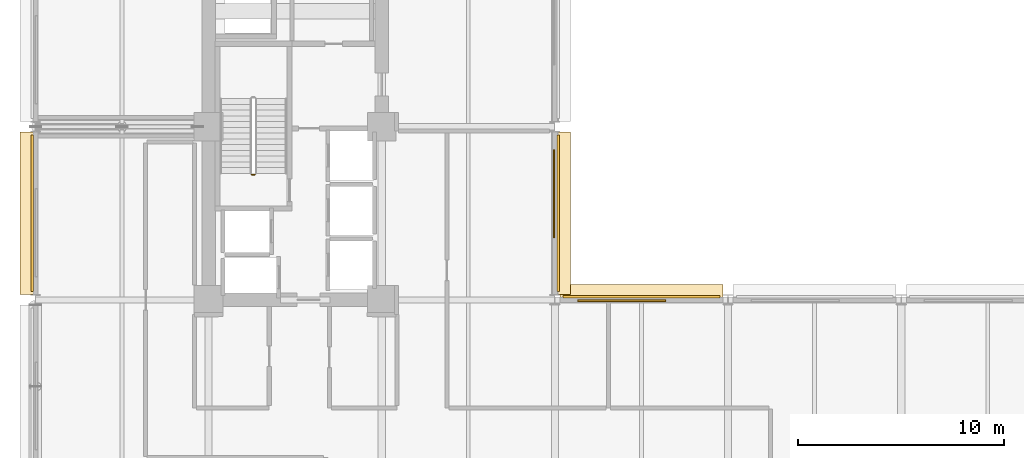
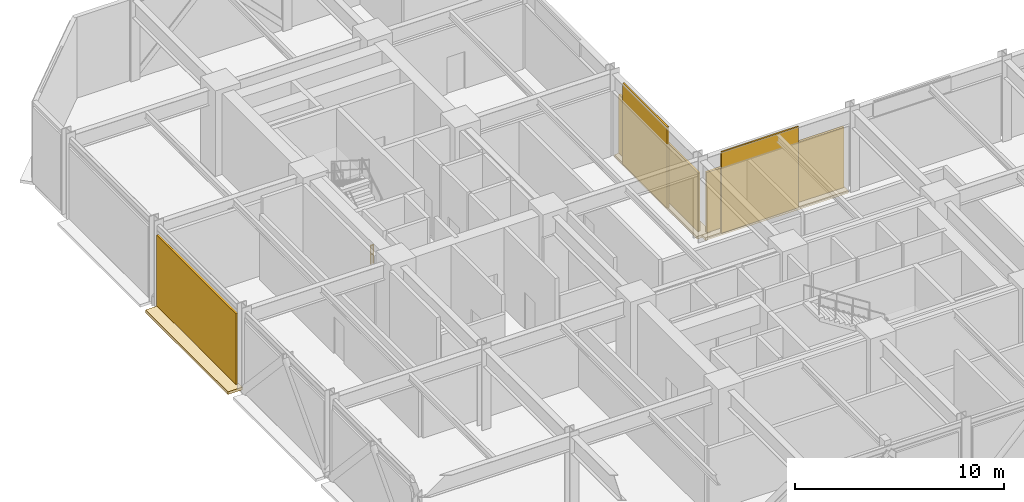
# One storey, part 11 of 13: 5 coverings, 3 shading devices, 1 railing.
"""IFC4 building model written with IfcOpenShell, lengths in metres."""

from ifc_helpers import new_model, si_unit, direction, frame, origin, origin_2d, place, context, subcontext, project, spatial, polyline, rectangle, circle, outline, extrude, material, layer, layer_set, type_object, element, save


model = new_model("IFC4")

# Units and contexts
model_context = context("Model", 3, precision=1e-05, world=origin(), true_north=direction((0.0, 1.0)))
body_context = subcontext(model_context, "Body", "Model", "MODEL_VIEW")
ifc_project = project(units=[si_unit("LENGTHUNIT", "METRE"), si_unit("AREAUNIT", "SQUARE_METRE"), si_unit("VOLUMEUNIT", "CUBIC_METRE"), si_unit("PLANEANGLEUNIT", "RADIAN"), si_unit("MASSUNIT", "GRAM", prefix="KILO")], contexts=[model_context])

# Site, building, storey
site_placement = place(None, origin())
site = spatial("IfcSite", under=ifc_project, at=site_placement, CompositionType="ELEMENT")
building_placement = place(site_placement, origin())
building = spatial("IfcBuilding", under=site, at=building_placement, Name="Nerrivon Quay Data Exchange", CompositionType="ELEMENT")
storey_placement = place(building_placement, frame((0.0, 0.0, 79.39990234375)))
storey = spatial("IfcBuildingStorey", under=building, at=storey_placement, Name="L18", CompositionType="ELEMENT", Elevation=79.39990234375)

# Coverings
ifc_material_1 = material(Name="Architectural terracotta ceramic", Category="masonry")
ifc_layer_1 = layer(ifc_material_1, 0.159912109375)
ifc_layer_set_1 = layer_set([ifc_layer_1], Name="Architectural terracotta ceramic")
covering_type_1 = type_object("IfcCoveringType", Name="COV-BLD-TERR", PredefinedType="CLADDING", material=ifc_layer_set_1)
covering_1_placement = place(storey_placement, frame((0.0, 0.0, -0.159912109375)))
element("IfcCovering", 1, at=covering_1_placement, inside=storey, type_object=covering_type_1, Name="L18 Horizontal Terracotta SOLAR SCREEN Blade", PredefinedType="CLADDING", context=body_context, shape_type="SweptSolid", body=[
    extrude(outline(polyline([(0.0400390625, 25.449951171875), (0.0400390625, 33.35009765625), (-0.75, 33.35009765625), (-0.75, 25.449951171875), (0.0400390625, 25.449951171875)])), origin(), (0.0, 0.0, 1.0), 0.159912109375),
])
covering_2_placement = place(storey_placement, frame((0.0, 0.0, -0.159912109375)))
element("IfcCovering", 2, at=covering_2_placement, inside=storey, type_object=covering_type_1, Name="L18 Horizontal Terracotta SOLAR SCREEN Blade", PredefinedType="CLADDING", context=body_context, shape_type="SweptSolid", body=[
    extrude(outline(polyline([(25.159912109375, 33.35009765625), (25.159912109375, 25.449951171875), (25.949951171875, 25.449951171875), (25.949951171875, 33.35009765625), (25.159912109375, 33.35009765625)])), origin(), (0.0, 0.0, 1.0), 0.159912109375),
])
covering_3_placement = place(storey_placement, frame((0.0, 0.0, -0.159912109375)))
element("IfcCovering", 3, at=covering_3_placement, inside=storey, type_object=covering_type_1, Name="L18 Horizontal Terracotta SOLAR SCREEN Blade", PredefinedType="CLADDING", context=body_context, shape_type="SweptSolid", body=[
    extrude(outline(polyline([(25.449951171875, 25.159912109375), (33.35009765625, 25.159912109375), (33.35009765625, 25.949951171875), (25.449951171875, 25.949951171875), (25.449951171875, 25.159912109375)])), origin(), (0.0, 0.0, 1.0), 0.159912109375),
])
ifc_layer_2 = layer(ifc_material_1, 0.090087890625)
ifc_layer_set_2 = layer_set([ifc_layer_2], Name="Architectural terracotta ceramic")
covering_type_2 = type_object("IfcCoveringType", Name="COV-SCR-TERR", PredefinedType="CLADDING", material=ifc_layer_set_2)
for number, where, z_axis, x_axis, name in (
    (4, (25.155029296875, 30.347900390625, 0.0), (0.0, 0.0, 1.0), (0.0, -1.0, 0.0), "L18 Perforated Terracotta SOLAR SCREEN Cassette"),
    (5, (28.451904296875, 25.155029296875, 0.0), (0.0, 0.0, 1.0), (1.0, 0.0, 0.0), "L18 Perforated Terracotta SOLAR SCREEN Cassette"),
):
    element("IfcCovering", number, at=place(storey_placement, frame(where, z_axis=z_axis, x_axis=x_axis)), inside=storey, type_object=covering_type_2, Name=name, PredefinedType="CLADDING", context=body_context, shape_type="SweptSolid", body=[
        extrude(rectangle(XDim=4.26611328125, YDim=0.090087890625, at=origin_2d()), origin(), (0.0, 0.0, 1.0), 4.72509765625),
    ])

# Railing
ifc_material_2 = material(Name="Steel Grade C350L0 (350 MPa)", Category="steel")
railing_type = type_object("IfcRailingType", Name="RAIL-STAIR-GR1", PredefinedType="BALUSTRADE", material=ifc_material_2)
railing_placement = place(storey_placement, frame((10.64990234375, 31.280029296875, 0.0)))
element("IfcRailing", 6, at=railing_placement, inside=storey, type_object=railing_type, Name="L18 ST01 stair guard 4", PredefinedType="BALUSTRADE", context=body_context, shape_type="SweptSolid", body=[
    extrude(circle(Radius=0.02392578125, at=origin_2d()), frame((0.0, 0.0, 1.076171875), z_axis=(-1.0, 0.0, 0.0), x_axis=(0.0, -1.0, 0.0)), (0.0, 0.0, 1.0), 0.14990234375),
    extrude(circle(Radius=0.02392578125, at=origin_2d()), frame((0.0, 0.0, 0.550048828125), z_axis=(-1.0, 0.0, 0.0), x_axis=(0.0, -1.0, 0.0)), (0.0, 0.0, 1.0), 0.14990234375),
    extrude(circle(Radius=0.02099609375, at=origin_2d()), origin(), (0.0, 0.0, 1.0), 1.052001953125),
    extrude(circle(Radius=0.02099609375, at=origin_2d()), frame((-0.14990234375, 0.0, 0.0)), (0.0, 0.0, 1.0), 1.052001953125),
])

# Shading devices
ifc_material_3 = material(Name="Anodised aluminium 6063-T6", Category="aluminium")
ifc_layer_3 = layer(ifc_material_3, 0.1201171875)
ifc_layer_set_3 = layer_set([ifc_layer_3], Name="Anodised aluminium 6063-T6")
shading_device_type = type_object("IfcShadingDeviceType", Name="SHD-LOUV-LV01", PredefinedType="JALOUSIE", material=ifc_layer_set_3)
shading_device_1_placement = place(storey_placement, frame((-0.159912109375, 29.39990234375, 0.150146484375), z_axis=(0.0, 0.0, 1.0), x_axis=(0.0, 1.0, 0.0)))
element("IfcShadingDevice", 7, at=shading_device_1_placement, inside=storey, type_object=shading_device_type, Name="L18 Acoustic Plant Louvre LV01-20", PredefinedType="JALOUSIE", context=body_context, shape_type="SweptSolid", body=[
    extrude(rectangle(XDim=7.60009765625, YDim=0.1201171875, at=origin_2d()), origin(), (0.0, 0.0, 1.0), 4.125),
])
shading_device_2_placement = place(storey_placement, frame((25.360107421875, 29.39990234375, 0.14990234375), z_axis=(0.0, 0.0, 1.0), x_axis=(0.0, -1.0, 0.0)))
element("IfcShadingDevice", 8, at=shading_device_2_placement, inside=storey, type_object=shading_device_type, Name="L18 Acoustic Plant Louvre LV01-31", PredefinedType="JALOUSIE", context=body_context, shape_type="SweptSolid", body=[
    extrude(rectangle(XDim=7.60009765625, YDim=0.1201171875, at=origin_2d()), origin(), (0.0, 0.0, 1.0), 3.408935546875),
])
shading_device_3_placement = place(storey_placement, frame((29.39990234375, 25.360107421875, 0.150146484375), z_axis=(0.0, 0.0, 1.0), x_axis=(1.0, 0.0, 0.0)))
element("IfcShadingDevice", 9, at=shading_device_3_placement, inside=storey, type_object=shading_device_type, Name="L18 Acoustic Plant Louvre LV01-32", PredefinedType="JALOUSIE", context=body_context, shape_type="SweptSolid", body=[
    extrude(rectangle(XDim=7.60009765625, YDim=0.1201171875, at=origin_2d()), origin(), (0.0, 0.0, 1.0), 3.52490234375),
])

save(model, "model.ifc")
